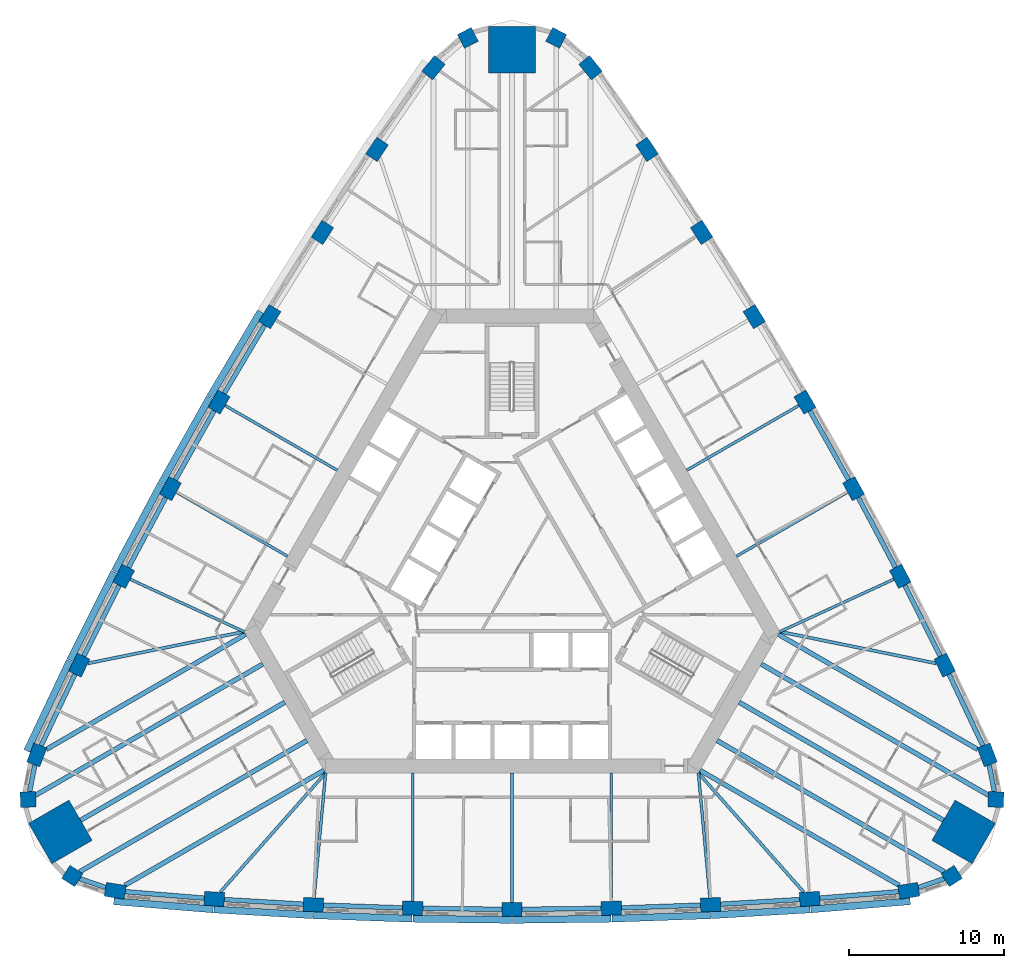
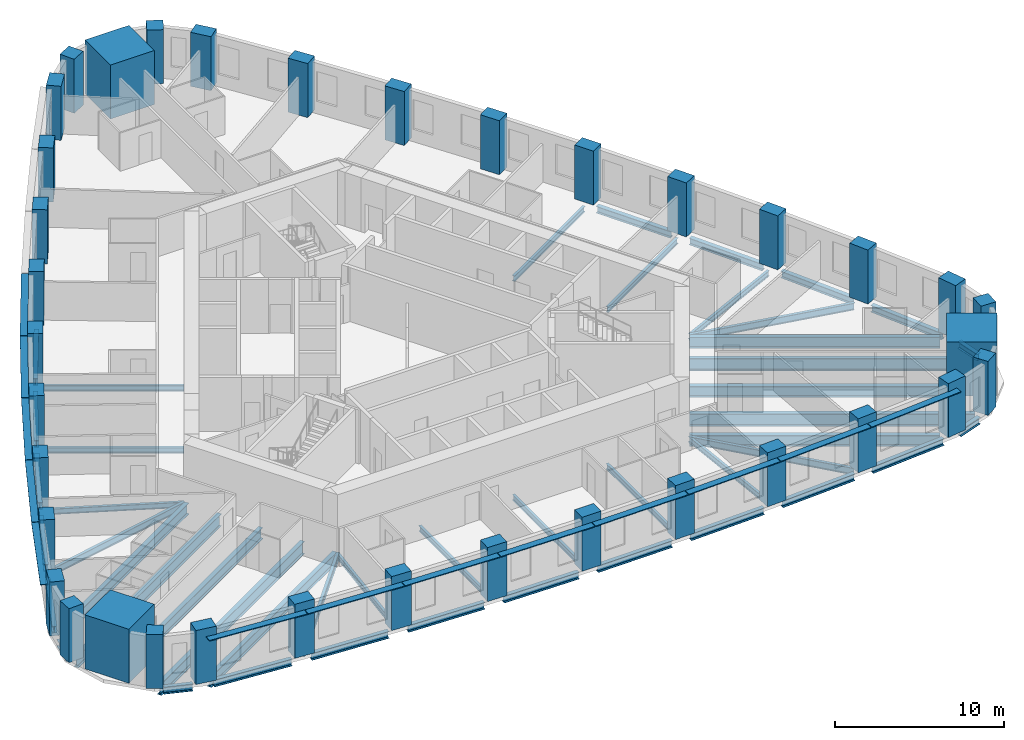
# One storey, part 1 of 12: 46 beams, 36 columns, 13 members.
"""IFC4 building model written with IfcOpenShell, lengths in metres."""

from ifc_helpers import new_model, si_unit, direction, frame, origin, origin_2d, place, context, subcontext, project, spatial, rectangle, i_section, extrude, material, material_profile, profile_set, type_object, element, save


model = new_model("IFC4")

# Units and contexts
model_context = context("Model", 3, precision=1e-05, world=origin(), true_north=direction((0.0, 1.0)))
body_context = subcontext(model_context, "Body", "Model", "MODEL_VIEW")
ifc_project = project(units=[si_unit("LENGTHUNIT", "METRE"), si_unit("AREAUNIT", "SQUARE_METRE"), si_unit("VOLUMEUNIT", "CUBIC_METRE"), si_unit("PLANEANGLEUNIT", "RADIAN"), si_unit("MASSUNIT", "GRAM", prefix="KILO")], contexts=[model_context])

# Site, building, storey
site_placement = place(None, origin())
site = spatial("IfcSite", under=ifc_project, at=site_placement, CompositionType="ELEMENT")
building_placement = place(site_placement, origin())
building = spatial("IfcBuilding", under=site, at=building_placement, Name="Mestral Congress Tower", CompositionType="ELEMENT")
storey_placement = place(building_placement, frame((0.0, 0.0, 126.60009765625)))
storey = spatial("IfcBuildingStorey", under=building, at=storey_placement, Name="L30", CompositionType="ELEMENT", Elevation=126.60009765625)

# Columns
ifc_material_1 = material(Name="Concrete C70/85", Category="concrete")
ifc_material_profile_1 = material_profile(ifc_material_1, rectangle(XDim=1.0, YDim=1.0, at=origin_2d()), Name="RC 1000x1000")
ifc_profile_set_1 = profile_set([ifc_material_profile_1], Name="Concrete C70/85")
column_type_1 = type_object("IfcColumnType", Name="Column RC 1000x1000 C70/85", PredefinedType="COLUMN", material=ifc_profile_set_1)
for number, where, z_axis, x_axis, name in (
    (1, (28.331298828125, -19.642822265625, 0.0), (0.0, 0.0, 1.0), (0.841700252504, 0.53994507585, 0.0), "COL-L30-C2-SE1"),
    (2, (31.1767578125, -14.714111328125, 0.0), (0.0, 0.0, 1.0), (0.046756026083, 0.998906338965, 0.0), "COL-L30-C2-SE3"),
    (3, (2.845703125, 34.35693359375, 0.0), (0.0, 0.0, 1.0), (-0.888456278587, 0.458961263115, 0.0), "COL-L30-C2-N1"),
    (4, (-2.845703125, 34.35693359375, 0.0), (0.0, 0.0, 1.0), (-0.888456278587, -0.458961263115, 0.0), "COL-L30-C2-N3"),
    (5, (-31.1767578125, -14.714111328125, 0.0), (0.0, 0.0, 1.0), (0.046756026083, -0.998906338965, 0.0), "COL-L30-C2-SW1"),
    (6, (-28.331298828125, -19.642822265625, 0.0), (0.0, 0.0, 1.0), (0.841700252504, -0.53994507585, 0.0), "COL-L30-C2-SW3"),
):
    element("IfcColumn", number, at=place(storey_placement, frame(where, z_axis=z_axis, x_axis=x_axis)), inside=storey, type_object=column_type_1, Name=name, PredefinedType="COLUMN", context=body_context, shape_type="SweptSolid", body=[
        extrude(rectangle(XDim=1.0, YDim=1.0, at=origin_2d()), origin(), (0.0, 0.0, 1.0), 3.89990234375),
    ])
ifc_material_profile_2 = material_profile(ifc_material_1, rectangle(XDim=1.300048828125, YDim=0.89990234375, at=origin_2d()), Name="RC 1300x900")
ifc_profile_set_2 = profile_set([ifc_material_profile_2], Name="Concrete C70/85")
column_type_2 = type_object("IfcColumnType", Name="Column RC 1300x900 C70/85", PredefinedType="COLUMN", material=ifc_profile_set_2)
for number, where, z_axis, x_axis, name in (
    (7, (-25.562744140625, -20.59716796875, 0.0), (0.0, 0.0, 1.0), (0.987202314361, -0.159472851987, 0.0), "COL-L30-C2-S00"),
    (8, (-19.184326171875, -21.120361328125, 0.0), (0.0, 0.0, 1.0), (0.997539884588, -0.07010120296, 0.0), "COL-L30-C2-S01"),
    (9, (-12.79541015625, -21.494384765625, 0.0), (0.0, 0.0, 1.0), (0.998906338965, -0.046756026083, 0.0), "COL-L30-C2-S02"),
    (10, (-6.3994140625, -21.71875, 0.0), (0.0, 0.0, 1.0), (0.99972656776, -0.023383535144, 0.0), "COL-L30-C2-S03"),
    (11, (0.0, -21.793701171875, 0.0), (0.0, 0.0, 1.0), (1.0, 0.0, 0.0), "COL-L30-C2-S04"),
    (12, (6.3994140625, -21.71875, 0.0), (0.0, 0.0, 1.0), (0.99972656776, 0.023383535144, 0.0), "COL-L30-C2-S05"),
    (13, (12.79541015625, -21.494384765625, 0.0), (0.0, 0.0, 1.0), (0.998906338965, 0.046756026083, 0.0), "COL-L30-C2-S06"),
    (14, (19.184326171875, -21.120361328125, 0.0), (0.0, 0.0, 1.0), (0.997539884588, 0.07010120296, 0.0), "COL-L30-C2-S07"),
    (15, (25.562744140625, -20.59716796875, 0.0), (0.0, 0.0, 1.0), (0.987202314361, 0.159472851987, 0.0), "COL-L30-C2-S08"),
    (16, (30.618896484375, -11.83935546875, 0.0), (0.0, 0.0, 1.0), (-0.355493616145, 0.934678708905, 0.0), "COL-L30-C2-E00"),
    (17, (27.8828125, -6.0537109375, 0.0), (0.0, 0.0, 1.0), (-0.438060519695, 0.898945482821, 0.0), "COL-L30-C2-E01"),
    (18, (25.01220703125, -0.333984375, 0.0), (0.0, 0.0, 1.0), (-0.458961263115, 0.888456278587, 0.0), "COL-L30-C2-E02"),
    (19, (22.0087890625, 5.3173828125, 0.0), (0.0, 0.0, 1.0), (-0.479612548415, 0.87748037209, 0.0), "COL-L30-C2-E03"),
    (20, (18.873779296875, 10.896728515625, 0.0), (0.0, 0.0, 1.0), (-0.5, 0.866025403784, 0.0), "COL-L30-C2-E04"),
    (21, (15.609375, 16.401611328125, 0.0), (0.0, 0.0, 1.0), (-0.520114019344, 0.854096836946, 0.0), "COL-L30-C2-E05"),
    (22, (12.217041015625, 21.828369140625, 0.0), (0.0, 0.0, 1.0), (-0.53994507585, 0.841700252504, 0.0), "COL-L30-C2-E06"),
    (23, (8.69873046875, 27.17431640625, 0.0), (0.0, 0.0, 1.0), (-0.559479364893, 0.828844279861, 0.0), "COL-L30-C2-E07"),
    (24, (5.056396484375, 32.4365234375, 0.0), (0.0, 0.0, 1.0), (-0.631708698215, 0.775205856918, 0.0), "COL-L30-C2-E08"),
    (25, (-5.056396484375, 32.4365234375, 0.0), (0.0, 0.0, 1.0), (-0.631708698215, -0.775205856918, 0.0), "COL-L30-C2-W00"),
    (26, (-8.69873046875, 27.17431640625, 0.0), (0.0, 0.0, 1.0), (-0.559479364893, -0.828844279861, 0.0), "COL-L30-C2-W01"),
    (27, (-12.217041015625, 21.828369140625, 0.0), (0.0, 0.0, 1.0), (-0.53994507585, -0.841700252504, 0.0), "COL-L30-C2-W02"),
    (28, (-15.609375, 16.401611328125, 0.0), (0.0, 0.0, 1.0), (-0.520114019344, -0.854096836946, 0.0), "COL-L30-C2-W03"),
    (29, (-18.873779296875, 10.896728515625, 0.0), (0.0, 0.0, 1.0), (-0.5, -0.866025403784, 0.0), "COL-L30-C2-W04"),
    (30, (-22.0087890625, 5.3173828125, 0.0), (0.0, 0.0, 1.0), (-0.479612548415, -0.87748037209, 0.0), "COL-L30-C2-W05"),
    (31, (-25.01220703125, -0.333984375, 0.0), (0.0, 0.0, 1.0), (-0.458961263115, -0.888456278587, 0.0), "COL-L30-C2-W06"),
    (32, (-27.8828125, -6.0537109375, 0.0), (0.0, 0.0, 1.0), (-0.438060519695, -0.898945482821, 0.0), "COL-L30-C2-W07"),
    (33, (-30.618896484375, -11.83935546875, 0.0), (0.0, 0.0, 1.0), (-0.355493616145, -0.934678708905, 0.0), "COL-L30-C2-W08"),
):
    element("IfcColumn", number, at=place(storey_placement, frame(where, z_axis=z_axis, x_axis=x_axis)), inside=storey, type_object=column_type_2, Name=name, PredefinedType="COLUMN", context=body_context, shape_type="SweptSolid", body=[
        extrude(rectangle(XDim=1.300048828125, YDim=0.89990234375, at=origin_2d()), origin(), (0.0, 0.0, 1.0), 3.89990234375),
    ])
ifc_material_2 = material(Name="Concrete C80/95", Category="concrete")
ifc_material_profile_3 = material_profile(ifc_material_2, rectangle(XDim=3.0, YDim=3.0, at=origin_2d()), Name="RC 3000x3000")
ifc_profile_set_3 = profile_set([ifc_material_profile_3], Name="Concrete C80/95")
column_type_3 = type_object("IfcColumnType", Name="Mega column RC 3000x3000 C80/95", PredefinedType="COLUMN", material=ifc_profile_set_3)
for number, where, z_axis, x_axis, name in (
    (34, (29.09716796875, -16.79931640625, 0.0), (0.0, 0.0, 1.0), (0.866025403784, -0.5, 0.0), "COL-L30-PY2-SE"),
    (35, (0.0, 33.598388671875, 0.0), (0.0, 0.0, 1.0), (0.0, 1.0, 0.0), "COL-L30-PY2-N"),
    (36, (-29.09716796875, -16.79931640625, 0.0), (0.0, 0.0, 1.0), (-0.866025403784, -0.5, 0.0), "COL-L30-PY2-SW"),
):
    element("IfcColumn", number, at=place(storey_placement, frame(where, z_axis=z_axis, x_axis=x_axis)), inside=storey, type_object=column_type_3, Name=name, PredefinedType="COLUMN", context=body_context, shape_type="SweptSolid", body=[
        extrude(rectangle(XDim=3.0, YDim=3.0, at=origin_2d()), origin(), (0.0, 0.0, 1.0), 3.89990234375),
    ])

# Members
ifc_material_3 = material(Name="Glazed ceramic", Category="masonry")
ifc_material_profile_4 = material_profile(ifc_material_3, rectangle(XDim=0.449951171875, YDim=0.06005859375, at=origin_2d()), Name="Ceramic blade 450 x 60")
ifc_profile_set_4 = profile_set([ifc_material_profile_4], Name="Glazed ceramic")
member_type = type_object("IfcMemberType", Name="Facade sunshade blade 450 x 60", PredefinedType="USERDEFINED", material=ifc_profile_set_4)
member_1_placement = place(storey_placement, frame((-25.654296875, -21.266845703125, 3.27978515625), z_axis=(0.996650616323, -0.081777435656, 0.0), x_axis=(0.081777435656, 0.996650616323, 0.0)))
element("IfcMember", 37, at=member_1_placement, inside=storey, type_object=member_type, Name="Sunshade F0-00", ObjectType="SUNSHADE", PredefinedType="USERDEFINED", context=body_context, shape_type="SweptSolid", body=[
    extrude(rectangle(XDim=0.449951171875, YDim=0.06005859375, at=origin_2d()), origin(), (0.0, 0.0, 1.0), 6.421630859375),
])
for number, where, z_axis, x_axis, name in (
    (38, (-19.208984375, -21.795166015625, 3.27978515625), (0.998292825409, -0.05840748871, 0.0), (0.05840748871, 0.998292825409, 0.0), "Sunshade F0-01"),
    (39, (-12.80419921875, -22.16943359375, 3.27978515625), (0.999384970229, -0.035066811664, 0.0), (0.035066811664, 0.999384970229, 0.0), "Sunshade F0-02"),
    (40, (-6.392578125, -22.393798828125, 3.27978515625), (0.999931231966, -0.011727375608, 0.0), (0.011727375608, 0.999931231966, 0.0), "Sunshade F0-03"),
    (41, (0.022705078125, -22.468505859375, 3.27978515625), (0.999931231966, 0.011727375608, 0.0), (-0.011727375608, 0.999931231966, 0.0), "Sunshade F0-04"),
    (42, (6.437744140625, -22.392822265625, 3.27978515625), (0.999384970229, 0.035066811664, 0.0), (-0.035066811664, 0.999384970229, 0.0), "Sunshade F0-05"),
    (43, (12.849609375, -22.167236328125, 3.27978515625), (0.998292825409, 0.05840748871, 0.0), (-0.05840748871, 0.998292825409, 0.0), "Sunshade F0-06"),
):
    element("IfcMember", number, at=place(storey_placement, frame(where, z_axis=z_axis, x_axis=x_axis)), inside=storey, type_object=member_type, Name=name, ObjectType="SUNSHADE", PredefinedType="USERDEFINED", context=body_context, shape_type="SweptSolid", body=[
        extrude(rectangle(XDim=0.449951171875, YDim=0.06005859375, at=origin_2d()), origin(), (0.0, 0.0, 1.0), 6.370361328125),
    ])
member_2_placement = place(storey_placement, frame((19.254150390625, -21.7919921875, 3.27978515625), z_axis=(0.996650616323, 0.081777435656, 0.0), x_axis=(-0.081777435656, 0.996650616323, 0.0)))
element("IfcMember", 44, at=member_2_placement, inside=storey, type_object=member_type, Name="Sunshade F0-07", ObjectType="SUNSHADE", PredefinedType="USERDEFINED", context=body_context, shape_type="SweptSolid", body=[
    extrude(rectangle(XDim=0.449951171875, YDim=0.06005859375, at=origin_2d()), origin(), (0.0, 0.0, 1.0), 6.421630859375),
])
for number, where, z_axis, x_axis, name in (
    (45, (-16.197509765625, 16.733154296875, 3.27978515625), (-0.510098606231, -0.86011592935, 0.0), (0.86011592935, -0.510098606231, 0.0), "Sunshade F2-03"),
    (46, (-19.469482421875, 11.214599609375, 3.27978515625), (-0.489860886888, -0.871800614531, 0.0), (0.871800614531, -0.489860886888, 0.0), "Sunshade F2-04"),
    (47, (-22.61181640625, 5.62109375, 3.27978515625), (-0.469318672425, -0.883028869128, 0.0), (0.883028869128, -0.469318672425, 0.0), "Sunshade F2-05"),
):
    element("IfcMember", number, at=place(storey_placement, frame(where, z_axis=z_axis, x_axis=x_axis)), inside=storey, type_object=member_type, Name=name, ObjectType="SUNSHADE", PredefinedType="USERDEFINED", context=body_context, shape_type="SweptSolid", body=[
        extrude(rectangle(XDim=0.449951171875, YDim=0.06005859375, at=origin_2d()), origin(), (0.0, 0.0, 1.0), 6.370361328125),
    ])
member_3_placement = place(storey_placement, frame((-25.622314453125, -0.04443359375, 3.27978515625), z_axis=(-0.448531530965, -0.893767008638, 0.0), x_axis=(0.893767008638, -0.448531530965, 0.0)))
element("IfcMember", 48, at=member_3_placement, inside=storey, type_object=member_type, Name="Sunshade F2-06", ObjectType="SUNSHADE", PredefinedType="USERDEFINED", context=body_context, shape_type="SweptSolid", body=[
    extrude(rectangle(XDim=0.449951171875, YDim=0.06005859375, at=origin_2d()), origin(), (0.0, 0.0, 1.0), 6.3701171875),
])
member_4_placement = place(storey_placement, frame((-28.49951171875, -5.778564453125, 3.27978515625), z_axis=(-0.427519164001, -0.904006285604, 0.0), x_axis=(0.904006285604, -0.427519164001, 0.0)))
element("IfcMember", 49, at=member_4_placement, inside=storey, type_object=member_type, Name="Sunshade F2-07", ObjectType="SUNSHADE", PredefinedType="USERDEFINED", context=body_context, shape_type="SweptSolid", body=[
    extrude(rectangle(XDim=0.449951171875, YDim=0.06005859375, at=origin_2d()), origin(), (0.0, 0.0, 1.0), 6.421630859375),
])

# Beams
ifc_material_4 = material(Name="Steel S355", Category="steel")
ifc_material_profile_5 = material_profile(ifc_material_4, i_section(OverallWidth=0.300048828125, OverallDepth=0.800048828125, WebThickness=0.017578125, FlangeThickness=0.032958984375, FilletRadius=0.030029296875, at=origin_2d()), Name="HEB 800")
ifc_profile_set_5 = profile_set([ifc_material_profile_5], Name="Steel S355")
beam_type_1 = type_object("IfcBeamType", Name="Floor beam HEB 800 S355", PredefinedType="BEAM", material=ifc_profile_set_5)
for number, where, z_axis, x_axis, name in (
    (50, (-24.94580078125, -20.240966796875, -0.650146484375), (0.866025146382, 0.500000445834, 0.0), (-0.500000445834, 0.866025146382, 0.0), "BM-L30-RB2-S00"),
    (51, (24.94580078125, -20.240966796875, -0.650146484375), (-0.866025146382, 0.500000445834, 0.0), (-0.500000445834, -0.866025146382, 0.0), "BM-L30-RB2-S08"),
):
    element("IfcBeam", number, at=place(storey_placement, frame(where, z_axis=z_axis, x_axis=x_axis)), inside=storey, type_object=beam_type_1, Name=name, PredefinedType="BEAM", context=body_context, shape_type="SweptSolid", body=[
        extrude(i_section(OverallWidth=0.300048828125, OverallDepth=0.800048828125, WebThickness=0.017578125, FlangeThickness=0.032958984375, FilletRadius=0.030029296875, at=origin_2d()), origin(), (0.0, 0.0, 1.0), 14.82421875),
    ])
beam_1_placement = place(storey_placement, frame((27.798095703125, -16.04931640625, -0.650146484375), z_axis=(-0.866023213189, 0.500003794204, 0.0), x_axis=(-0.500003794204, -0.866023213189, 0.0)))
element("IfcBeam", 52, at=beam_1_placement, inside=storey, type_object=beam_type_1, Name="BM-L30-RB2-SE", PredefinedType="BEAM", context=body_context, shape_type="SweptSolid", body=[
    extrude(i_section(OverallWidth=0.300048828125, OverallDepth=0.800048828125, WebThickness=0.017578125, FlangeThickness=0.032958984375, FilletRadius=0.030029296875, at=origin_2d()), origin(), (0.0, 0.0, 1.0), 15.19873046875),
])
for number, where, z_axis, x_axis, name in (
    (53, (30.002197265625, -11.483154296875, -0.650146484375), (-0.866025146382, 0.500000445834, 0.0), (-0.500000445834, -0.866025146382, 0.0), "BM-L30-RB2-E00"),
    (54, (-30.002197265625, -11.483154296875, -0.650146484375), (0.866025146382, 0.500000445834, 0.0), (-0.500000445834, 0.866025146382, 0.0), "BM-L30-RB2-W08"),
):
    element("IfcBeam", number, at=place(storey_placement, frame(where, z_axis=z_axis, x_axis=x_axis)), inside=storey, type_object=beam_type_1, Name=name, PredefinedType="BEAM", context=body_context, shape_type="SweptSolid", body=[
        extrude(i_section(OverallWidth=0.300048828125, OverallDepth=0.800048828125, WebThickness=0.017578125, FlangeThickness=0.032958984375, FilletRadius=0.030029296875, at=origin_2d()), origin(), (0.0, 0.0, 1.0), 14.82421875),
    ])
beam_2_placement = place(storey_placement, frame((-27.798095703125, -16.04931640625, -0.650146484375), z_axis=(0.866023213189, 0.500003794204, 0.0), x_axis=(-0.500003794204, 0.866023213189, 0.0)))
element("IfcBeam", 55, at=beam_2_placement, inside=storey, type_object=beam_type_1, Name="BM-L30-RB2-SW", PredefinedType="BEAM", context=body_context, shape_type="SweptSolid", body=[
    extrude(i_section(OverallWidth=0.300048828125, OverallDepth=0.800048828125, WebThickness=0.017578125, FlangeThickness=0.032958984375, FilletRadius=0.030029296875, at=origin_2d()), origin(), (0.0, 0.0, 1.0), 15.19873046875),
])
ifc_material_profile_6 = material_profile(ifc_material_4, i_section(OverallWidth=0.300048828125, OverallDepth=0.89990234375, WebThickness=0.0185546875, FlangeThickness=0.034912109375, FilletRadius=0.030029296875, at=origin_2d()), Name="HEB 900")
ifc_profile_set_6 = profile_set([ifc_material_profile_6], Name="Steel S355")
beam_type_2 = type_object("IfcBeamType", Name="Floor beam HEB 900 S355", PredefinedType="BEAM", material=ifc_profile_set_6)
beam_3_placement = place(storey_placement, frame((27.84375, -19.361328125, -0.7001953125), z_axis=(-0.866024587677, 0.500001413537, 0.0), x_axis=(-0.500001413537, -0.866024587677, 0.0)))
element("IfcBeam", 56, at=beam_3_placement, inside=storey, type_object=beam_type_2, Name="BM-L30-RB2-SE1", PredefinedType="BEAM", context=body_context, shape_type="SweptSolid", body=[
    extrude(i_section(OverallWidth=0.300048828125, OverallDepth=0.89990234375, WebThickness=0.0185546875, FlangeThickness=0.034912109375, FilletRadius=0.030029296875, at=origin_2d()), origin(), (0.0, 0.0, 1.0), 16.89404296875),
])
for number, where, z_axis, x_axis, name in (
    (57, (30.689453125, -14.4326171875, -0.7001953125), (-0.866028200461, 0.499995155983, 0.0), (-0.499995155983, -0.866028200461, 0.0), "BM-L30-RB2-SE3"),
    (58, (-30.689453125, -14.4326171875, -0.7001953125), (0.866028200461, 0.499995155983, 0.0), (-0.499995155983, 0.866028200461, 0.0), "BM-L30-RB2-SW1"),
):
    element("IfcBeam", number, at=place(storey_placement, frame(where, z_axis=z_axis, x_axis=x_axis)), inside=storey, type_object=beam_type_2, Name=name, PredefinedType="BEAM", context=body_context, shape_type="SweptSolid", body=[
        extrude(i_section(OverallWidth=0.300048828125, OverallDepth=0.89990234375, WebThickness=0.0185546875, FlangeThickness=0.034912109375, FilletRadius=0.030029296875, at=origin_2d()), origin(), (0.0, 0.0, 1.0), 16.894287109375),
    ])
beam_4_placement = place(storey_placement, frame((-27.84375, -19.361328125, -0.7001953125), z_axis=(0.866024587677, 0.500001413537, 0.0), x_axis=(-0.500001413537, 0.866024587677, 0.0)))
element("IfcBeam", 59, at=beam_4_placement, inside=storey, type_object=beam_type_2, Name="BM-L30-RB2-SW3", PredefinedType="BEAM", context=body_context, shape_type="SweptSolid", body=[
    extrude(i_section(OverallWidth=0.300048828125, OverallDepth=0.89990234375, WebThickness=0.0185546875, FlangeThickness=0.034912109375, FilletRadius=0.030029296875, at=origin_2d()), origin(), (0.0, 0.0, 1.0), 16.89404296875),
])
ifc_material_profile_7 = material_profile(ifc_material_4, i_section(OverallWidth=0.179931640625, OverallDepth=0.39990234375, WebThickness=0.008544921875, FlangeThickness=0.013427734375, FilletRadius=0.02099609375, at=origin_2d()), Name="IPE 400")
ifc_profile_set_7 = profile_set([ifc_material_profile_7], Name="Steel S355")
beam_type_3 = type_object("IfcBeamType", Name="Floor beam IPE 400 S355", PredefinedType="BEAM", material=ifc_profile_set_7)
beam_5_placement = place(storey_placement, frame((-12.753662109375, -21.0458984375, -0.4501953125), z_axis=(0.092183786594, 0.995742009503, 0.0), x_axis=(-0.995742009503, 0.092183786594, 0.0)))
element("IfcBeam", 60, at=beam_5_placement, inside=storey, type_object=beam_type_3, Name="BM-L30-RB2-S02", PredefinedType="BEAM", context=body_context, shape_type="SweptSolid", body=[
    extrude(i_section(OverallWidth=0.179931640625, OverallDepth=0.39990234375, WebThickness=0.008544921875, FlangeThickness=0.013427734375, FilletRadius=0.02099609375, at=origin_2d()), origin(), (0.0, 0.0, 1.0), 8.080322265625),
])
beam_6_placement = place(storey_placement, frame((-6.3994140625, -21.268798828125, -0.4501953125), z_axis=(0.0, 1.0, 0.0), x_axis=(-1.0, 0.0, 0.0)))
element("IfcBeam", 61, at=beam_6_placement, inside=storey, type_object=beam_type_3, Name="BM-L30-RB2-S03", PredefinedType="BEAM", context=body_context, shape_type="SweptSolid", body=[
    extrude(i_section(OverallWidth=0.179931640625, OverallDepth=0.39990234375, WebThickness=0.008544921875, FlangeThickness=0.013427734375, FilletRadius=0.02099609375, at=origin_2d()), origin(), (0.0, 0.0, 1.0), 8.268798828125),
])
beam_7_placement = place(storey_placement, frame((0.0, -21.343505859375, -0.4501953125), z_axis=(0.0, 1.0, 0.0), x_axis=(-1.0, 0.0, 0.0)))
element("IfcBeam", 62, at=beam_7_placement, inside=storey, type_object=beam_type_3, Name="BM-L30-RB2-S04", PredefinedType="BEAM", context=body_context, shape_type="SweptSolid", body=[
    extrude(i_section(OverallWidth=0.179931640625, OverallDepth=0.39990234375, WebThickness=0.008544921875, FlangeThickness=0.013427734375, FilletRadius=0.02099609375, at=origin_2d()), origin(), (0.0, 0.0, 1.0), 8.343505859375),
])
beam_8_placement = place(storey_placement, frame((6.3994140625, -21.268798828125, -0.4501953125), z_axis=(0.0, 1.0, 0.0), x_axis=(-1.0, 0.0, 0.0)))
element("IfcBeam", 63, at=beam_8_placement, inside=storey, type_object=beam_type_3, Name="BM-L30-RB2-S05", PredefinedType="BEAM", context=body_context, shape_type="SweptSolid", body=[
    extrude(i_section(OverallWidth=0.179931640625, OverallDepth=0.39990234375, WebThickness=0.008544921875, FlangeThickness=0.013427734375, FilletRadius=0.02099609375, at=origin_2d()), origin(), (0.0, 0.0, 1.0), 8.268798828125),
])
beam_9_placement = place(storey_placement, frame((12.753662109375, -21.0458984375, -0.4501953125), z_axis=(-0.092183786594, 0.995742009503, 0.0), x_axis=(-0.995742009503, -0.092183786594, 0.0)))
element("IfcBeam", 64, at=beam_9_placement, inside=storey, type_object=beam_type_3, Name="BM-L30-RB2-S06", PredefinedType="BEAM", context=body_context, shape_type="SweptSolid", body=[
    extrude(i_section(OverallWidth=0.179931640625, OverallDepth=0.39990234375, WebThickness=0.008544921875, FlangeThickness=0.013427734375, FilletRadius=0.02099609375, at=origin_2d()), origin(), (0.0, 0.0, 1.0), 8.080322265625),
])
beam_10_placement = place(storey_placement, frame((24.60302734375, -0.522216796875, -0.4501953125), z_axis=(-0.908437217841, -0.418021316731, 0.0), x_axis=(0.418021316731, -0.908437217841, 0.0)))
element("IfcBeam", 65, at=beam_10_placement, inside=storey, type_object=beam_type_3, Name="BM-L30-RB2-E02", PredefinedType="BEAM", context=body_context, shape_type="SweptSolid", body=[
    extrude(i_section(OverallWidth=0.179931640625, OverallDepth=0.39990234375, WebThickness=0.008544921875, FlangeThickness=0.013427734375, FilletRadius=0.02099609375, at=origin_2d()), origin(), (0.0, 0.0, 1.0), 8.080078125),
])
beam_11_placement = place(storey_placement, frame((21.618896484375, 5.09228515625, -0.4501953125), z_axis=(-0.866028737439, -0.499994225897, 0.0), x_axis=(0.499994225897, -0.866028737439, 0.0)))
element("IfcBeam", 66, at=beam_11_placement, inside=storey, type_object=beam_type_3, Name="BM-L30-RB2-E03", PredefinedType="BEAM", context=body_context, shape_type="SweptSolid", body=[
    extrude(i_section(OverallWidth=0.179931640625, OverallDepth=0.39990234375, WebThickness=0.008544921875, FlangeThickness=0.013427734375, FilletRadius=0.02099609375, at=origin_2d()), origin(), (0.0, 0.0, 1.0), 8.2685546875),
])
for number, where, z_axis, x_axis, name in (
    (67, (18.484130859375, 10.671875, -0.4501953125), (-0.86602332482, -0.500003600855, 0.0), (0.500003600855, -0.86602332482, 0.0), "BM-L30-RB2-E04"),
    (68, (-18.484130859375, 10.671875, -0.4501953125), (0.86602332482, -0.500003600855, 0.0), (0.500003600855, 0.86602332482, 0.0), "BM-L30-RB2-W04"),
):
    element("IfcBeam", number, at=place(storey_placement, frame(where, z_axis=z_axis, x_axis=x_axis)), inside=storey, type_object=beam_type_3, Name=name, PredefinedType="BEAM", context=body_context, shape_type="SweptSolid", body=[
        extrude(i_section(OverallWidth=0.179931640625, OverallDepth=0.39990234375, WebThickness=0.008544921875, FlangeThickness=0.013427734375, FilletRadius=0.02099609375, at=origin_2d()), origin(), (0.0, 0.0, 1.0), 8.34375),
    ])
beam_12_placement = place(storey_placement, frame((-21.618896484375, 5.09228515625, -0.4501953125), z_axis=(0.866028737439, -0.499994225897, 0.0), x_axis=(0.499994225897, 0.866028737439, 0.0)))
element("IfcBeam", 69, at=beam_12_placement, inside=storey, type_object=beam_type_3, Name="BM-L30-RB2-W05", PredefinedType="BEAM", context=body_context, shape_type="SweptSolid", body=[
    extrude(i_section(OverallWidth=0.179931640625, OverallDepth=0.39990234375, WebThickness=0.008544921875, FlangeThickness=0.013427734375, FilletRadius=0.02099609375, at=origin_2d()), origin(), (0.0, 0.0, 1.0), 8.2685546875),
])
beam_13_placement = place(storey_placement, frame((-24.60302734375, -0.522216796875, -0.4501953125), z_axis=(0.908437217841, -0.418021316731, 0.0), x_axis=(0.418021316731, 0.908437217841, 0.0)))
element("IfcBeam", 70, at=beam_13_placement, inside=storey, type_object=beam_type_3, Name="BM-L30-RB2-W06", PredefinedType="BEAM", context=body_context, shape_type="SweptSolid", body=[
    extrude(i_section(OverallWidth=0.179931640625, OverallDepth=0.39990234375, WebThickness=0.008544921875, FlangeThickness=0.013427734375, FilletRadius=0.02099609375, at=origin_2d()), origin(), (0.0, 0.0, 1.0), 8.080078125),
])
ifc_material_profile_8 = material_profile(ifc_material_4, i_section(OverallWidth=0.199951171875, OverallDepth=0.5, WebThickness=0.01025390625, FlangeThickness=0.01611328125, FilletRadius=0.02099609375, at=origin_2d()), Name="IPE 500")
ifc_profile_set_8 = profile_set([ifc_material_profile_8], Name="Steel S355")
beam_type_4 = type_object("IfcBeamType", Name="Floor beam IPE 500 S355", PredefinedType="BEAM", material=ifc_profile_set_8)
for number, where, z_axis, x_axis, name in (
    (71, (-18.80908203125, -20.695556640625, -0.5), (0.662174203587, 0.749349934346, 0.0), (-0.749349934346, 0.662174203587, 0.0), "BM-L30-RB2-S01"),
    (72, (18.80908203125, -20.695556640625, -0.5), (-0.662174203587, 0.749349934346, 0.0), (-0.749349934346, -0.662174203587, 0.0), "BM-L30-RB2-S07"),
    (73, (27.327392578125, -5.941162109375, -0.5), (-0.980046767137, 0.198767035052, 0.0), (-0.198767035052, -0.980046767137, 0.0), "BM-L30-RB2-E01"),
    (74, (-27.327392578125, -5.941162109375, -0.5), (0.980046767137, 0.198767035052, 0.0), (-0.198767035052, 0.980046767137, 0.0), "BM-L30-RB2-W07"),
):
    element("IfcBeam", number, at=place(storey_placement, frame(where, z_axis=z_axis, x_axis=x_axis)), inside=storey, type_object=beam_type_4, Name=name, PredefinedType="BEAM", context=body_context, shape_type="SweptSolid", body=[
        extrude(i_section(OverallWidth=0.199951171875, OverallDepth=0.5, WebThickness=0.01025390625, FlangeThickness=0.01611328125, FilletRadius=0.02099609375, at=origin_2d()), origin(), (0.0, 0.0, 1.0), 10.26953125),
    ])
ifc_material_profile_9 = material_profile(ifc_material_4, i_section(OverallWidth=0.300048828125, OverallDepth=0.489990234375, WebThickness=0.011962890625, FlangeThickness=0.02294921875, FilletRadius=0.027099609375, at=origin_2d()), Name="HEA 500")
ifc_profile_set_9 = profile_set([ifc_material_profile_9], Name="Steel S355")
beam_type_5 = type_object("IfcBeamType", Name="Spandrel beam HEA 500 S355", PredefinedType="BEAM", material=ifc_profile_set_9)
beam_14_placement = place(storey_placement, frame((-24.912841796875, -20.650390625, -0.4951171875), z_axis=(0.996652597162, -0.081753290887, 0.0), x_axis=(0.081753290887, 0.996652597162, 0.0)))
element("IfcBeam", 75, at=beam_14_placement, inside=storey, type_object=beam_type_5, Name="SP-L30-SB2-S00", PredefinedType="BEAM", context=body_context, shape_type="SweptSolid", body=[
    extrude(i_section(OverallWidth=0.300048828125, OverallDepth=0.489990234375, WebThickness=0.011962890625, FlangeThickness=0.02294921875, FilletRadius=0.027099609375, at=origin_2d()), origin(), (0.0, 0.0, 1.0), 5.09765625),
])
for number, where, z_axis, x_axis, name in (
    (76, (-18.535400390625, -21.158447265625, -0.4951171875), (0.998292976718, -0.058404902489, 0.0), (0.058404902489, 0.998292976718, 0.0), "SP-L30-SB2-S01"),
    (77, (-12.145751953125, -21.51708984375, -0.4951171875), (0.999384139945, -0.035090466305, 0.0), (0.035090466305, 0.999384139945, 0.0), "SP-L30-SB2-S02"),
    (78, (-5.74951171875, -21.726318359375, -0.4951171875), (0.999931780034, -0.011680551241, 0.0), (0.011680551241, 0.999931780034, 0.0), "SP-L30-SB2-S03"),
    (79, (0.64990234375, -21.785888671875, -0.4951171875), (0.999931780034, 0.011680551241, 0.0), (-0.011680551241, 0.999931780034, 0.0), "SP-L30-SB2-S04"),
    (80, (7.049072265625, -21.696044921875, -0.4951171875), (0.999384139945, 0.035090466305, 0.0), (-0.035090466305, 0.999384139945, 0.0), "SP-L30-SB2-S05"),
    (81, (13.4443359375, -21.456298828125, -0.4951171875), (0.998292976718, 0.058404902489, 0.0), (-0.058404902489, 0.998292976718, 0.0), "SP-L30-SB2-S06"),
):
    element("IfcBeam", number, at=place(storey_placement, frame(where, z_axis=z_axis, x_axis=x_axis)), inside=storey, type_object=beam_type_5, Name=name, PredefinedType="BEAM", context=body_context, shape_type="SweptSolid", body=[
        extrude(i_section(OverallWidth=0.300048828125, OverallDepth=0.489990234375, WebThickness=0.011962890625, FlangeThickness=0.02294921875, FilletRadius=0.027099609375, at=origin_2d()), origin(), (0.0, 0.0, 1.0), 5.099853515625),
    ])
beam_15_placement = place(storey_placement, frame((19.832275390625, -21.067138671875, -0.4951171875), z_axis=(0.996652597162, 0.081753290887, 0.0), x_axis=(-0.081753290887, 0.996652597162, 0.0)))
element("IfcBeam", 82, at=beam_15_placement, inside=storey, type_object=beam_type_5, Name="SP-L30-SB2-S07", PredefinedType="BEAM", context=body_context, shape_type="SweptSolid", body=[
    extrude(i_section(OverallWidth=0.300048828125, OverallDepth=0.489990234375, WebThickness=0.011962890625, FlangeThickness=0.02294921875, FilletRadius=0.027099609375, at=origin_2d()), origin(), (0.0, 0.0, 1.0), 5.09765625),
])
for number, where, z_axis, x_axis, name in (
    (83, (26.186279296875, -20.382080078125, -0.4951171875), (0.945433605893, 0.325814819873, 0.0), (-0.325814819873, 0.945433605893, 0.0), "SP-L30-SB2-S08"),
    (84, (31.078857421875, -14.208984375, -0.4951171875), (-0.190545536928, 0.981678357894, 0.0), (-0.981678357894, -0.190545536928, 0.0), "SP-L30-SB2-SE3"),
):
    element("IfcBeam", number, at=place(storey_placement, frame(where, z_axis=z_axis, x_axis=x_axis)), inside=storey, type_object=beam_type_5, Name=name, PredefinedType="BEAM", context=body_context, shape_type="SweptSolid", body=[
        extrude(i_section(OverallWidth=0.300048828125, OverallDepth=0.489990234375, WebThickness=0.011962890625, FlangeThickness=0.02294921875, FilletRadius=0.027099609375, at=origin_2d()), origin(), (0.0, 0.0, 1.0), 1.754150390625),
    ])
beam_16_placement = place(storey_placement, frame((30.34033203125, -11.25, -0.4951171875), z_axis=(-0.427509849729, 0.904010690415, 0.0), x_axis=(-0.904010690415, -0.427509849729, 0.0)))
element("IfcBeam", 85, at=beam_16_placement, inside=storey, type_object=beam_type_5, Name="SP-L30-SB2-E00", PredefinedType="BEAM", context=body_context, shape_type="SweptSolid", body=[
    extrude(i_section(OverallWidth=0.300048828125, OverallDepth=0.489990234375, WebThickness=0.011962890625, FlangeThickness=0.02294921875, FilletRadius=0.027099609375, at=origin_2d()), origin(), (0.0, 0.0, 1.0), 5.097900390625),
])
for number, where, z_axis, x_axis, name in (
    (86, (27.59130859375, -5.472900390625, -0.4951171875), (-0.448515247182, 0.89377518037, 0.0), (-0.89377518037, -0.448515247182, 0.0), "SP-L30-SB2-E01"),
    (87, (24.707275390625, 0.239990234375, -0.4951171875), (-0.469288226496, 0.883045050081, 0.0), (-0.883045050081, -0.469288226496, 0.0), "SP-L30-SB2-E02"),
    (88, (21.6904296875, 5.884033203125, -0.4951171875), (-0.489836148985, 0.871814514187, 0.0), (-0.871814514187, -0.489836148985, 0.0), "SP-L30-SB2-E03"),
    (89, (-15.94091796875, 15.84228515625, -0.4951171875), (-0.510081870963, -0.860125854114, 0.0), (0.860125854114, -0.510081870963, 0.0), "SP-L30-SB2-W03"),
    (90, (-19.1923828125, 10.330078125, -0.4951171875), (-0.489836148985, -0.871814514187, 0.0), (0.871814514187, -0.489836148985, 0.0), "SP-L30-SB2-W04"),
    (91, (-22.31396484375, 4.743408203125, -0.4951171875), (-0.469288226496, -0.883045050081, 0.0), (0.883045050081, -0.469288226496, 0.0), "SP-L30-SB2-W05"),
    (92, (-25.303955078125, -0.914794921875, -0.4951171875), (-0.448515247182, -0.89377518037, 0.0), (0.89377518037, -0.448515247182, 0.0), "SP-L30-SB2-W06"),
):
    element("IfcBeam", number, at=place(storey_placement, frame(where, z_axis=z_axis, x_axis=x_axis)), inside=storey, type_object=beam_type_5, Name=name, PredefinedType="BEAM", context=body_context, shape_type="SweptSolid", body=[
        extrude(i_section(OverallWidth=0.300048828125, OverallDepth=0.489990234375, WebThickness=0.011962890625, FlangeThickness=0.02294921875, FilletRadius=0.027099609375, at=origin_2d()), origin(), (0.0, 0.0, 1.0), 5.099853515625),
    ])
beam_17_placement = place(storey_placement, frame((-28.160888671875, -6.641357421875, -0.4951171875), z_axis=(-0.427509849729, -0.904010690415, 0.0), x_axis=(0.904010690415, -0.427509849729, 0.0)))
element("IfcBeam", 93, at=beam_17_placement, inside=storey, type_object=beam_type_5, Name="SP-L30-SB2-W07", PredefinedType="BEAM", context=body_context, shape_type="SweptSolid", body=[
    extrude(i_section(OverallWidth=0.300048828125, OverallDepth=0.489990234375, WebThickness=0.011962890625, FlangeThickness=0.02294921875, FilletRadius=0.027099609375, at=origin_2d()), origin(), (0.0, 0.0, 1.0), 5.097900390625),
])
for number, where, z_axis, x_axis, name in (
    (94, (-30.74462890625, -12.487060546875, -0.4951171875), (-0.190545536928, -0.981678357894, 0.0), (0.981678357894, -0.190545536928, 0.0), "SP-L30-SB2-W08"),
    (95, (-27.8447265625, -19.810546875, -0.4951171875), (0.945433605893, -0.325814819873, 0.0), (0.325814819873, 0.945433605893, 0.0), "SP-L30-SB2-SW3"),
):
    element("IfcBeam", number, at=place(storey_placement, frame(where, z_axis=z_axis, x_axis=x_axis)), inside=storey, type_object=beam_type_5, Name=name, PredefinedType="BEAM", context=body_context, shape_type="SweptSolid", body=[
        extrude(i_section(OverallWidth=0.300048828125, OverallDepth=0.489990234375, WebThickness=0.011962890625, FlangeThickness=0.02294921875, FilletRadius=0.027099609375, at=origin_2d()), origin(), (0.0, 0.0, 1.0), 1.754150390625),
    ])

save(model, "model.ifc")
